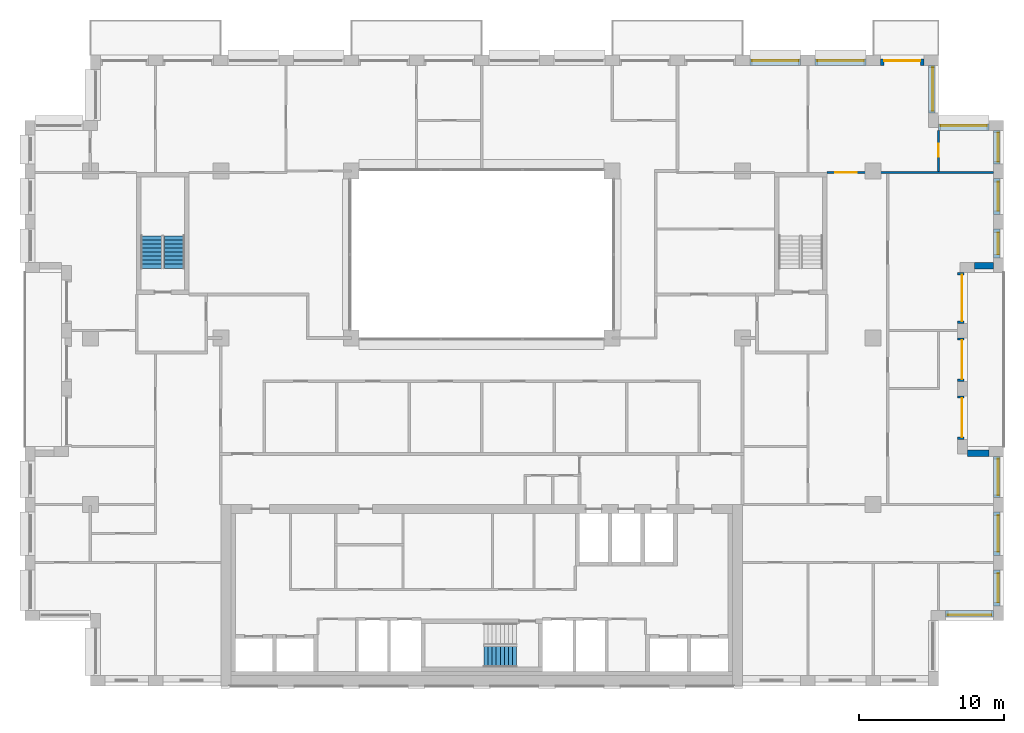
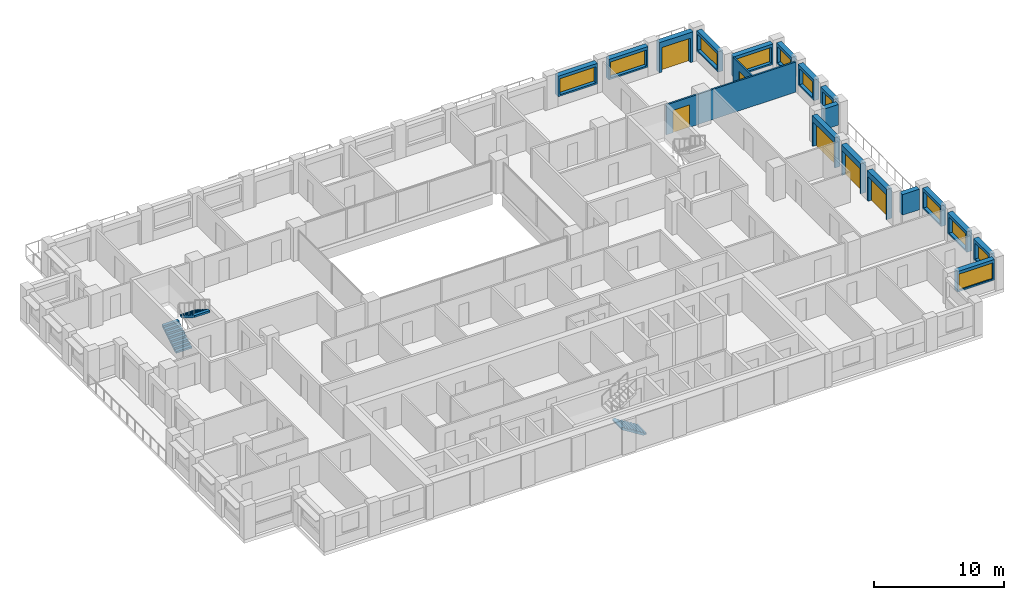
# One storey, part 14 of 16: 19 walls, 11 windows, 6 doors, 3 stair flights, 17 openings, 2 elements without a shape of their own.
"""IFC4 building model written with IfcOpenShell, lengths in metres."""

from ifc_helpers import new_model, si_unit, direction, frame, frame_2d, origin, place, context, subcontext, project, spatial, polyline, rectangle, outline, extrude, material, layer, layer_set, type_object, element, fill, aggregate, save


model = new_model("IFC4")

# Units and contexts
model_context = context("Model", 3, precision=1e-05, world=origin(), true_north=direction((0.0, 1.0)))
body_context = subcontext(model_context, "Body", "Model", "MODEL_VIEW")
ifc_project = project(units=[si_unit("LENGTHUNIT", "METRE"), si_unit("AREAUNIT", "SQUARE_METRE"), si_unit("VOLUMEUNIT", "CUBIC_METRE"), si_unit("PLANEANGLEUNIT", "RADIAN"), si_unit("MASSUNIT", "GRAM", prefix="KILO")], contexts=[model_context])

# Site, building, storey
site_placement = place(None, origin())
site = spatial("IfcSite", under=ifc_project, at=site_placement, CompositionType="ELEMENT")
building_placement = place(site_placement, origin())
building = spatial("IfcBuilding", under=site, at=building_placement, Name="Brigalow Station Residences", CompositionType="ELEMENT")
storey_placement = place(building_placement, frame((0.0, 0.0, 166.5)))
storey = spatial("IfcBuildingStorey", under=building, at=storey_placement, Name="L48", CompositionType="ELEMENT", Elevation=166.5)

# Wall, opening, window
ifc_material_1 = material(Name="Clay brick masonry", Category="masonry")
ifc_layer_1 = layer(ifc_material_1, 0.449951171875)
ifc_layer_set_1 = layer_set([ifc_layer_1], Name="BRICK INFILL WALL 450")
wall_type_1 = type_object("IfcWallType", Name="BRICK INFILL WALL 450", PredefinedType="SOLIDWALL", material=ifc_layer_set_1)
wall_1_placement = place(storey_placement, frame((68.0, 4.97509765625, 0.89990234375), z_axis=(0.0, 0.0, 1.0), x_axis=(1.0, 0.0, 0.0)))
wall_1 = element("IfcWall", 1, at=wall_1_placement, inside=storey, type_object=wall_type_1, Name="L48/ewall/W-L48-8", PredefinedType="SOLIDWALL", context=body_context, shape_type="SweptSolid", body=[
    extrude(rectangle(XDim=3.300048828125, YDim=0.449951171875, at=frame_2d((1.64990234375, 0.0))), origin(), (0.0, 0.0, 1.0), 1.93017578125),
])
opening_1_placement = place(wall_1_placement, frame((0.14990234375, 0.0, 0.14990234375)))
opening_1 = element("IfcOpeningElement", 2, at=opening_1_placement, cuts=wall_1, Name="Opening WT-2", PredefinedType="OPENING", context=body_context, shape_type="SweptSolid", body=[
    extrude(rectangle(XDim=3.0, YDim=1.5, at=frame_2d((1.5, 0.75))), frame((0.0, 0.23486328125, 0.0), z_axis=(0.0, -1.0, 0.0), x_axis=(1.0, 0.0, 0.0)), (0.0, 0.0, 1.0), 0.469970703125),
])
ifc_material_2 = material(Name="Anodised aluminium frame with double glazing", Category="aluminium")
window_type_1 = type_object("IfcWindowType", Name="WINDOW 3000x1500", PartitioningType="SINGLE_PANEL", PredefinedType="WINDOW", material=ifc_material_2)
window_1_placement = place(opening_1_placement, origin())
window_1 = element("IfcWindow", 3, at=window_1_placement, inside=storey, type_object=window_type_1, Name="L48/window/W-L48-8", OverallHeight=1.5, OverallWidth=3.0, PartitioningType="SINGLE_PANEL", PredefinedType="WINDOW", context=body_context, shape_type="SweptSolid", body=[
    extrude(rectangle(XDim=3.0, YDim=1.5, at=frame_2d((1.5, 0.75))), frame((0.0, -0.06494140625, 0.0), z_axis=(0.0, -1.0, 0.0), x_axis=(1.0, 0.0, 0.0)), (0.0, 0.0, 1.0), 0.06005859375),
])
fill(opening_1, window_1)

wall_2_placement = place(storey_placement, frame((71.52490234375, 5.5, 0.89990234375), z_axis=(0.0, 0.0, 1.0), x_axis=(0.0, 1.0, 0.0)))
wall_2 = element("IfcWall", 4, at=wall_2_placement, inside=storey, type_object=wall_type_1, Name="L48/ewall/W-L48-9", PredefinedType="SOLIDWALL", context=body_context, shape_type="SweptSolid", body=[
    extrude(rectangle(XDim=2.5, YDim=0.449951171875, at=frame_2d((1.25, 0.0))), origin(), (0.0, 0.0, 1.0), 1.93017578125),
])
opening_2_placement = place(wall_2_placement, frame((0.25, 0.0, 0.14990234375)))
opening_2 = element("IfcOpeningElement", 5, at=opening_2_placement, cuts=wall_2, Name="Opening WT-7", PredefinedType="OPENING", context=body_context, shape_type="SweptSolid", body=[
    extrude(rectangle(XDim=2.0, YDim=1.5, at=frame_2d((1.0, 0.75))), frame((0.0, 0.23486328125, 0.0), z_axis=(0.0, -1.0, 0.0), x_axis=(1.0, 0.0, 0.0)), (0.0, 0.0, 1.0), 0.469970703125),
])
ifc_material_3 = material(Name="Anodised aluminium frame with double glazing", Category="aluminium")
window_type_2 = type_object("IfcWindowType", Name="WINDOW 2000x1500", PartitioningType="SINGLE_PANEL", PredefinedType="WINDOW", material=ifc_material_3)
window_2_placement = place(opening_2_placement, origin())
window_2 = element("IfcWindow", 6, at=window_2_placement, inside=storey, type_object=window_type_2, Name="L48/window/W-L48-9", OverallHeight=1.5, OverallWidth=2.0, PartitioningType="SINGLE_PANEL", PredefinedType="WINDOW", context=body_context, shape_type="SweptSolid", body=[
    extrude(rectangle(XDim=2.0, YDim=1.5, at=frame_2d((1.0, 0.75))), frame((0.0, -0.06494140625, 0.0), z_axis=(0.0, -1.0, 0.0), x_axis=(1.0, 0.0, 0.0)), (0.0, 0.0, 1.0), 0.06005859375),
])
fill(opening_2, window_2)

wall_3_placement = place(storey_placement, frame((71.52490234375, 9.0, 0.89990234375), z_axis=(0.0, 0.0, 1.0), x_axis=(0.0, 1.0, 0.0)))
wall_3 = element("IfcWall", 7, at=wall_3_placement, inside=storey, type_object=wall_type_1, Name="L48/ewall/W-L48-10", PredefinedType="SOLIDWALL", context=body_context, shape_type="SweptSolid", body=[
    extrude(rectangle(XDim=3.0, YDim=0.449951171875, at=frame_2d((1.5, 0.0))), origin(), (0.0, 0.0, 1.0), 1.93017578125),
])
opening_3_placement = place(wall_3_placement, frame((0.25, 0.0, 0.14990234375)))
opening_3 = element("IfcOpeningElement", 8, at=opening_3_placement, cuts=wall_3, Name="Opening WT-5", PredefinedType="OPENING", context=body_context, shape_type="SweptSolid", body=[
    extrude(rectangle(XDim=2.5, YDim=1.5, at=frame_2d((1.25, 0.75))), frame((0.0, 0.23486328125, 0.0), z_axis=(0.0, -1.0, 0.0), x_axis=(1.0, 0.0, 0.0)), (0.0, 0.0, 1.0), 0.469970703125),
])
ifc_material_4 = material(Name="Anodised aluminium frame with double glazing", Category="aluminium")
window_type_3 = type_object("IfcWindowType", Name="WINDOW 2500x1500", PartitioningType="SINGLE_PANEL", PredefinedType="WINDOW", material=ifc_material_4)
window_3_placement = place(opening_3_placement, origin())
window_3 = element("IfcWindow", 9, at=window_3_placement, inside=storey, type_object=window_type_3, Name="L48/window/W-L48-10", OverallHeight=1.5, OverallWidth=2.5, PartitioningType="SINGLE_PANEL", PredefinedType="WINDOW", context=body_context, shape_type="SweptSolid", body=[
    extrude(rectangle(XDim=2.5, YDim=1.5, at=frame_2d((1.25, 0.75))), frame((0.0, -0.06494140625, 0.0), z_axis=(0.0, -1.0, 0.0), x_axis=(1.0, 0.0, 0.0)), (0.0, 0.0, 1.0), 0.06005859375),
])
fill(opening_3, window_3)

wall_4_placement = place(storey_placement, frame((71.52490234375, 13.0, 0.89990234375), z_axis=(0.0, 0.0, 1.0), x_axis=(0.0, 1.0, 0.0)))
wall_4 = element("IfcWall", 10, at=wall_4_placement, inside=storey, type_object=wall_type_1, Name="L48/ewall/W-L48-11", PredefinedType="SOLIDWALL", context=body_context, shape_type="SweptSolid", body=[
    extrude(rectangle(XDim=2.800048828125, YDim=0.449951171875, at=frame_2d((1.39990234375, 0.0))), origin(), (0.0, 0.0, 1.0), 1.93017578125),
])
opening_4_placement = place(wall_4_placement, frame((0.14990234375, 0.0, 0.14990234375)))
opening_4 = element("IfcOpeningElement", 11, at=opening_4_placement, cuts=wall_4, Name="Opening WT-5", PredefinedType="OPENING", context=body_context, shape_type="SweptSolid", body=[
    extrude(rectangle(XDim=2.5, YDim=1.5, at=frame_2d((1.25, 0.75))), frame((0.0, 0.23486328125, 0.0), z_axis=(0.0, -1.0, 0.0), x_axis=(1.0, 0.0, 0.0)), (0.0, 0.0, 1.0), 0.469970703125),
])
window_4_placement = place(opening_4_placement, origin())
window_4 = element("IfcWindow", 12, at=window_4_placement, inside=storey, type_object=window_type_3, Name="L48/window/W-L48-11", OverallHeight=1.5, OverallWidth=2.5, PartitioningType="SINGLE_PANEL", PredefinedType="WINDOW", context=body_context, shape_type="SweptSolid", body=[
    extrude(rectangle(XDim=2.5, YDim=1.5, at=frame_2d((1.25, 0.75))), frame((0.0, -0.06494140625, 0.0), z_axis=(0.0, -1.0, 0.0), x_axis=(1.0, 0.0, 0.0)), (0.0, 0.0, 1.0), 0.06005859375),
])
fill(opening_4, window_4)

# Wall
wall_5_placement = place(storey_placement, frame((71.0, 16.02490234375, 0.89990234375), z_axis=(0.0, 0.0, 1.0), x_axis=(-1.0, 0.0, 0.0)))
element("IfcWall", 13, at=wall_5_placement, inside=storey, type_object=wall_type_1, Name="L48/ewall/W-L48-12", PredefinedType="SOLIDWALL", context=body_context, shape_type="SweptSolid", body=[
    extrude(rectangle(XDim=1.5, YDim=0.449951171875, at=frame_2d((0.75, 0.0))), origin(), (0.0, 0.0, 1.0), 1.93017578125),
])

# Wall, opening, door
wall_6_placement = place(storey_placement, frame((69.02490234375, 17.0, 0.0), z_axis=(0.0, 0.0, 1.0), x_axis=(0.0, 1.0, 0.0)))
wall_6 = element("IfcWall", 14, at=wall_6_placement, inside=storey, type_object=wall_type_1, Name="L48/ewall/W-L48-13", PredefinedType="SOLIDWALL", context=body_context, shape_type="SweptSolid", body=[
    extrude(rectangle(XDim=3.0, YDim=0.449951171875, at=frame_2d((1.5, 0.0))), origin(), (0.0, 0.0, 1.0), 2.830078125),
])
opening_5_placement = place(wall_6_placement, frame((0.14990234375, 0.0, 0.0)))
opening_5 = element("IfcOpeningElement", 15, at=opening_5_placement, cuts=wall_6, Name="Opening D-B2700", PredefinedType="OPENING", context=body_context, shape_type="SweptSolid", body=[
    extrude(rectangle(XDim=2.699951171875, YDim=2.300048828125, at=frame_2d((1.35009765625, 1.14990234375))), frame((0.0, 0.23486328125, 0.0), z_axis=(0.0, -1.0, 0.0), x_axis=(1.0, 0.0, 0.0)), (0.0, 0.0, 1.0), 0.469970703125),
])
ifc_material_5 = material(Name="Anodised aluminium frame with double glazing", Category="aluminium")
door_type_1 = type_object("IfcDoorType", Name="BALCONY SLIDING DOOR 2700x2300", OperationType="SLIDING_TO_LEFT", PredefinedType="DOOR", material=ifc_material_5)
door_1_placement = place(opening_5_placement, origin())
door_1 = element("IfcDoor", 16, at=door_1_placement, inside=storey, type_object=door_type_1, Name="L48/balcony-door/W-L48-13", OperationType="SLIDING_TO_LEFT", OverallHeight=2.300048828125, OverallWidth=2.699951171875, PredefinedType="DOOR", context=body_context, shape_type="SweptSolid", body=[
    extrude(rectangle(XDim=2.699951171875, YDim=2.300048828125, at=frame_2d((1.35009765625, 1.14990234375))), frame((0.0, -0.06982421875, 0.0), z_axis=(0.0, -1.0, 0.0), x_axis=(1.0, 0.0, 0.0)), (0.0, 0.0, 1.0), 0.050048828125),
])
fill(opening_5, door_1)

wall_7_placement = place(storey_placement, frame((69.02490234375, 21.0, 0.0), z_axis=(0.0, 0.0, 1.0), x_axis=(0.0, 1.0, 0.0)))
wall_7 = element("IfcWall", 17, at=wall_7_placement, inside=storey, type_object=wall_type_1, Name="L48/ewall/W-L48-14", PredefinedType="SOLIDWALL", context=body_context, shape_type="SweptSolid", body=[
    extrude(rectangle(XDim=3.0, YDim=0.449951171875, at=frame_2d((1.5, 0.0))), origin(), (0.0, 0.0, 1.0), 2.830078125),
])
opening_6_placement = place(wall_7_placement, frame((0.14990234375, 0.0, 0.0)))
opening_6 = element("IfcOpeningElement", 18, at=opening_6_placement, cuts=wall_7, Name="Opening D-B2700", PredefinedType="OPENING", context=body_context, shape_type="SweptSolid", body=[
    extrude(rectangle(XDim=2.699951171875, YDim=2.300048828125, at=frame_2d((1.35009765625, 1.14990234375))), frame((0.0, 0.23486328125, 0.0), z_axis=(0.0, -1.0, 0.0), x_axis=(1.0, 0.0, 0.0)), (0.0, 0.0, 1.0), 0.469970703125),
])
door_2_placement = place(opening_6_placement, origin())
door_2 = element("IfcDoor", 19, at=door_2_placement, inside=storey, type_object=door_type_1, Name="L48/balcony-door/W-L48-14", OperationType="SLIDING_TO_LEFT", OverallHeight=2.300048828125, OverallWidth=2.699951171875, PredefinedType="DOOR", context=body_context, shape_type="SweptSolid", body=[
    extrude(rectangle(XDim=2.699951171875, YDim=2.300048828125, at=frame_2d((1.35009765625, 1.14990234375))), frame((0.0, -0.06982421875, 0.0), z_axis=(0.0, -1.0, 0.0), x_axis=(1.0, 0.0, 0.0)), (0.0, 0.0, 1.0), 0.050048828125),
])
fill(opening_6, door_2)

wall_8_placement = place(storey_placement, frame((69.02490234375, 25.0, 0.0), z_axis=(0.0, 0.0, 1.0), x_axis=(0.0, 1.0, 0.0)))
wall_8 = element("IfcWall", 20, at=wall_8_placement, inside=storey, type_object=wall_type_1, Name="L48/ewall/W-L48-15", PredefinedType="SOLIDWALL", context=body_context, shape_type="SweptSolid", body=[
    extrude(rectangle(XDim=3.5, YDim=0.449951171875, at=frame_2d((1.75, 0.0))), origin(), (0.0, 0.0, 1.0), 2.830078125),
])
opening_7_placement = place(wall_8_placement, frame((0.14990234375, 0.0, 0.0)))
opening_7 = element("IfcOpeningElement", 21, at=opening_7_placement, cuts=wall_8, Name="Opening D-B3200", PredefinedType="OPENING", context=body_context, shape_type="SweptSolid", body=[
    extrude(rectangle(XDim=3.199951171875, YDim=2.300048828125, at=frame_2d((1.60009765625, 1.14990234375))), frame((0.0, 0.23486328125, 0.0), z_axis=(0.0, -1.0, 0.0), x_axis=(1.0, 0.0, 0.0)), (0.0, 0.0, 1.0), 0.469970703125),
])
ifc_material_6 = material(Name="Anodised aluminium frame with double glazing", Category="aluminium")
door_type_2 = type_object("IfcDoorType", Name="BALCONY SLIDING DOOR 3200x2300", OperationType="SLIDING_TO_LEFT", PredefinedType="DOOR", material=ifc_material_6)
door_3_placement = place(opening_7_placement, origin())
door_3 = element("IfcDoor", 22, at=door_3_placement, inside=storey, type_object=door_type_2, Name="L48/balcony-door/W-L48-15", OperationType="SLIDING_TO_LEFT", OverallHeight=2.300048828125, OverallWidth=3.199951171875, PredefinedType="DOOR", context=body_context, shape_type="SweptSolid", body=[
    extrude(rectangle(XDim=3.199951171875, YDim=2.300048828125, at=frame_2d((1.60009765625, 1.14990234375))), frame((0.0, -0.06982421875, 0.0), z_axis=(0.0, -1.0, 0.0), x_axis=(1.0, 0.0, 0.0)), (0.0, 0.0, 1.0), 0.050048828125),
])
fill(opening_7, door_3)

# Wall
wall_9_placement = place(storey_placement, frame((70.0, 28.97509765625, 0.89990234375), z_axis=(0.0, 0.0, 1.0), x_axis=(1.0, 0.0, 0.0)))
element("IfcWall", 23, at=wall_9_placement, inside=storey, type_object=wall_type_1, Name="L48/ewall/W-L48-16", PredefinedType="SOLIDWALL", context=body_context, shape_type="SweptSolid", body=[
    extrude(rectangle(XDim=1.300048828125, YDim=0.449951171875, at=frame_2d((0.64990234375, 0.0))), origin(), (0.0, 0.0, 1.0), 1.93017578125),
])

# Wall, opening, window
wall_10_placement = place(storey_placement, frame((71.52490234375, 29.5, 0.89990234375), z_axis=(0.0, 0.0, 1.0), x_axis=(0.0, 1.0, 0.0)))
wall_10 = element("IfcWall", 24, at=wall_10_placement, inside=storey, type_object=wall_type_1, Name="L48/ewall/W-L48-17", PredefinedType="SOLIDWALL", context=body_context, shape_type="SweptSolid", body=[
    extrude(rectangle(XDim=2.0, YDim=0.449951171875, at=frame_2d((1.0, 0.0))), origin(), (0.0, 0.0, 1.0), 1.93017578125),
])
opening_8_placement = place(wall_10_placement, frame((0.25, 0.0, 0.14990234375)))
opening_8 = element("IfcOpeningElement", 25, at=opening_8_placement, cuts=wall_10, Name="Opening WT-1", PredefinedType="OPENING", context=body_context, shape_type="SweptSolid", body=[
    extrude(rectangle(XDim=1.5, YDim=1.5, at=frame_2d((0.75, 0.75))), frame((0.0, 0.23486328125, 0.0), z_axis=(0.0, -1.0, 0.0), x_axis=(1.0, 0.0, 0.0)), (0.0, 0.0, 1.0), 0.469970703125),
])
ifc_material_7 = material(Name="Anodised aluminium frame with double glazing", Category="aluminium")
window_type_4 = type_object("IfcWindowType", Name="WINDOW 1500x1500", PartitioningType="SINGLE_PANEL", PredefinedType="WINDOW", material=ifc_material_7)
window_5_placement = place(opening_8_placement, origin())
window_5 = element("IfcWindow", 26, at=window_5_placement, inside=storey, type_object=window_type_4, Name="L48/window/W-L48-17", OverallHeight=1.5, OverallWidth=1.5, PartitioningType="SINGLE_PANEL", PredefinedType="WINDOW", context=body_context, shape_type="SweptSolid", body=[
    extrude(rectangle(XDim=1.5, YDim=1.5, at=frame_2d((0.75, 0.75))), frame((0.0, -0.06494140625, 0.0), z_axis=(0.0, -1.0, 0.0), x_axis=(1.0, 0.0, 0.0)), (0.0, 0.0, 1.0), 0.06005859375),
])
fill(opening_8, window_5)

wall_11_placement = place(storey_placement, frame((71.52490234375, 32.5, 0.89990234375), z_axis=(0.0, 0.0, 1.0), x_axis=(0.0, 1.0, 0.0)))
wall_11 = element("IfcWall", 27, at=wall_11_placement, inside=storey, type_object=wall_type_1, Name="L48/ewall/W-L48-18", PredefinedType="SOLIDWALL", context=body_context, shape_type="SweptSolid", body=[
    extrude(rectangle(XDim=2.5, YDim=0.449951171875, at=frame_2d((1.25, 0.0))), origin(), (0.0, 0.0, 1.0), 1.93017578125),
])
opening_9_placement = place(wall_11_placement, frame((0.25, 0.0, 0.14990234375)))
opening_9 = element("IfcOpeningElement", 28, at=opening_9_placement, cuts=wall_11, Name="Opening WT-7", PredefinedType="OPENING", context=body_context, shape_type="SweptSolid", body=[
    extrude(rectangle(XDim=2.0, YDim=1.5, at=frame_2d((1.0, 0.75))), frame((0.0, 0.23486328125, 0.0), z_axis=(0.0, -1.0, 0.0), x_axis=(1.0, 0.0, 0.0)), (0.0, 0.0, 1.0), 0.469970703125),
])
window_6_placement = place(opening_9_placement, origin())
window_6 = element("IfcWindow", 29, at=window_6_placement, inside=storey, type_object=window_type_2, Name="L48/window/W-L48-18", OverallHeight=1.5, OverallWidth=2.0, PartitioningType="SINGLE_PANEL", PredefinedType="WINDOW", context=body_context, shape_type="SweptSolid", body=[
    extrude(rectangle(XDim=2.0, YDim=1.5, at=frame_2d((1.0, 0.75))), frame((0.0, -0.06494140625, 0.0), z_axis=(0.0, -1.0, 0.0), x_axis=(1.0, 0.0, 0.0)), (0.0, 0.0, 1.0), 0.06005859375),
])
fill(opening_9, window_6)

wall_12_placement = place(storey_placement, frame((71.52490234375, 36.0, 0.89990234375), z_axis=(0.0, 0.0, 1.0), x_axis=(0.0, 1.0, 0.0)))
wall_12 = element("IfcWall", 30, at=wall_12_placement, inside=storey, type_object=wall_type_1, Name="L48/ewall/W-L48-19", PredefinedType="SOLIDWALL", context=body_context, shape_type="SweptSolid", body=[
    extrude(rectangle(XDim=2.300048828125, YDim=0.449951171875, at=frame_2d((1.14990234375, 0.0))), origin(), (0.0, 0.0, 1.0), 1.93017578125),
])
opening_10_placement = place(wall_12_placement, frame((0.14990234375, 0.0, 0.14990234375)))
opening_10 = element("IfcOpeningElement", 31, at=opening_10_placement, cuts=wall_12, Name="Opening WT-7", PredefinedType="OPENING", context=body_context, shape_type="SweptSolid", body=[
    extrude(rectangle(XDim=2.0, YDim=1.5, at=frame_2d((1.0, 0.75))), frame((0.0, 0.23486328125, 0.0), z_axis=(0.0, -1.0, 0.0), x_axis=(1.0, 0.0, 0.0)), (0.0, 0.0, 1.0), 0.469970703125),
])
window_7_placement = place(opening_10_placement, origin())
window_7 = element("IfcWindow", 32, at=window_7_placement, inside=storey, type_object=window_type_2, Name="L48/window/W-L48-19", OverallHeight=1.5, OverallWidth=2.0, PartitioningType="SINGLE_PANEL", PredefinedType="WINDOW", context=body_context, shape_type="SweptSolid", body=[
    extrude(rectangle(XDim=2.0, YDim=1.5, at=frame_2d((1.0, 0.75))), frame((0.0, -0.06494140625, 0.0), z_axis=(0.0, -1.0, 0.0), x_axis=(1.0, 0.0, 0.0)), (0.0, 0.0, 1.0), 0.06005859375),
])
fill(opening_10, window_7)

wall_13_placement = place(storey_placement, frame((71.0, 38.52490234375, 0.89990234375), z_axis=(0.0, 0.0, 1.0), x_axis=(-1.0, 0.0, 0.0)))
wall_13 = element("IfcWall", 33, at=wall_13_placement, inside=storey, type_object=wall_type_1, Name="L48/ewall/W-L48-20", PredefinedType="SOLIDWALL", context=body_context, shape_type="SweptSolid", body=[
    extrude(rectangle(XDim=3.5, YDim=0.449951171875, at=frame_2d((1.75, 0.0))), origin(), (0.0, 0.0, 1.0), 1.93017578125),
])
opening_11_placement = place(wall_13_placement, frame((0.14990234375, 0.0, 0.14990234375)))
opening_11 = element("IfcOpeningElement", 34, at=opening_11_placement, cuts=wall_13, Name="Opening WT-9", PredefinedType="OPENING", context=body_context, shape_type="SweptSolid", body=[
    extrude(rectangle(XDim=3.199951171875, YDim=1.5, at=frame_2d((1.60009765625, 0.75))), frame((0.0, 0.23486328125, 0.0), z_axis=(0.0, -1.0, 0.0), x_axis=(1.0, 0.0, 0.0)), (0.0, 0.0, 1.0), 0.469970703125),
])
ifc_material_8 = material(Name="Anodised aluminium frame with double glazing", Category="aluminium")
window_type_5 = type_object("IfcWindowType", Name="WINDOW 3200x1500", PartitioningType="SINGLE_PANEL", PredefinedType="WINDOW", material=ifc_material_8)
window_8_placement = place(opening_11_placement, origin())
window_8 = element("IfcWindow", 35, at=window_8_placement, inside=storey, type_object=window_type_5, Name="L48/window/W-L48-20", OverallHeight=1.5, OverallWidth=3.199951171875, PartitioningType="SINGLE_PANEL", PredefinedType="WINDOW", context=body_context, shape_type="SweptSolid", body=[
    extrude(rectangle(XDim=3.199951171875, YDim=1.5, at=frame_2d((1.60009765625, 0.75))), frame((0.0, -0.06494140625, 0.0), z_axis=(0.0, -1.0, 0.0), x_axis=(1.0, 0.0, 0.0)), (0.0, 0.0, 1.0), 0.06005859375),
])
fill(opening_11, window_8)

wall_14_placement = place(storey_placement, frame((67.02490234375, 39.5, 0.89990234375), z_axis=(0.0, 0.0, 1.0), x_axis=(0.0, 1.0, 0.0)))
wall_14 = element("IfcWall", 36, at=wall_14_placement, inside=storey, type_object=wall_type_1, Name="L48/ewall/W-L48-21", PredefinedType="SOLIDWALL", context=body_context, shape_type="SweptSolid", body=[
    extrude(rectangle(XDim=3.300048828125, YDim=0.449951171875, at=frame_2d((1.64990234375, 0.0))), origin(), (0.0, 0.0, 1.0), 1.93017578125),
])
opening_12_placement = place(wall_14_placement, frame((0.14990234375, 0.0, 0.14990234375)))
opening_12 = element("IfcOpeningElement", 37, at=opening_12_placement, cuts=wall_14, Name="Opening WT-2", PredefinedType="OPENING", context=body_context, shape_type="SweptSolid", body=[
    extrude(rectangle(XDim=3.0, YDim=1.5, at=frame_2d((1.5, 0.75))), frame((0.0, 0.23486328125, 0.0), z_axis=(0.0, -1.0, 0.0), x_axis=(1.0, 0.0, 0.0)), (0.0, 0.0, 1.0), 0.469970703125),
])
window_9_placement = place(opening_12_placement, origin())
window_9 = element("IfcWindow", 38, at=window_9_placement, inside=storey, type_object=window_type_1, Name="L48/window/W-L48-21", OverallHeight=1.5, OverallWidth=3.0, PartitioningType="SINGLE_PANEL", PredefinedType="WINDOW", context=body_context, shape_type="SweptSolid", body=[
    extrude(rectangle(XDim=3.0, YDim=1.5, at=frame_2d((1.5, 0.75))), frame((0.0, -0.06494140625, 0.0), z_axis=(0.0, -1.0, 0.0), x_axis=(1.0, 0.0, 0.0)), (0.0, 0.0, 1.0), 0.06005859375),
])
fill(opening_12, window_9)

# Wall, opening, door
wall_15_placement = place(storey_placement, frame((66.5, 43.02490234375, 0.0), z_axis=(0.0, 0.0, 1.0), x_axis=(-1.0, 0.0, 0.0)))
wall_15 = element("IfcWall", 39, at=wall_15_placement, inside=storey, type_object=wall_type_1, Name="L48/ewall/W-L48-22", PredefinedType="SOLIDWALL", context=body_context, shape_type="SweptSolid", body=[
    extrude(rectangle(XDim=3.0, YDim=0.449951171875, at=frame_2d((1.5, 0.0))), origin(), (0.0, 0.0, 1.0), 2.830078125),
])
opening_13_placement = place(wall_15_placement, frame((0.25, 0.0, 0.0)))
opening_13 = element("IfcOpeningElement", 40, at=opening_13_placement, cuts=wall_15, Name="Opening D-B2500", PredefinedType="OPENING", context=body_context, shape_type="SweptSolid", body=[
    extrude(rectangle(XDim=2.5, YDim=2.300048828125, at=frame_2d((1.25, 1.14990234375))), frame((0.0, 0.23486328125, 0.0), z_axis=(0.0, -1.0, 0.0), x_axis=(1.0, 0.0, 0.0)), (0.0, 0.0, 1.0), 0.469970703125),
])
ifc_material_9 = material(Name="Anodised aluminium frame with double glazing", Category="aluminium")
door_type_3 = type_object("IfcDoorType", Name="BALCONY SLIDING DOOR 2500x2300", OperationType="SLIDING_TO_LEFT", PredefinedType="DOOR", material=ifc_material_9)
door_4_placement = place(opening_13_placement, origin())
door_4 = element("IfcDoor", 41, at=door_4_placement, inside=storey, type_object=door_type_3, Name="L48/balcony-door/W-L48-22", OperationType="SLIDING_TO_LEFT", OverallHeight=2.300048828125, OverallWidth=2.5, PredefinedType="DOOR", context=body_context, shape_type="SweptSolid", body=[
    extrude(rectangle(XDim=2.5, YDim=2.300048828125, at=frame_2d((1.25, 1.14990234375))), frame((0.0, -0.06982421875, 0.0), z_axis=(0.0, -1.0, 0.0), x_axis=(1.0, 0.0, 0.0)), (0.0, 0.0, 1.0), 0.050048828125),
])
fill(opening_13, door_4)

# Wall, opening, window
wall_16_placement = place(storey_placement, frame((62.5, 43.02490234375, 0.89990234375), z_axis=(0.0, 0.0, 1.0), x_axis=(-1.0, 0.0, 0.0)))
wall_16 = element("IfcWall", 42, at=wall_16_placement, inside=storey, type_object=wall_type_1, Name="L48/ewall/W-L48-23", PredefinedType="SOLIDWALL", context=body_context, shape_type="SweptSolid", body=[
    extrude(rectangle(XDim=3.5, YDim=0.449951171875, at=frame_2d((1.75, 0.0))), origin(), (0.0, 0.0, 1.0), 1.93017578125),
])
opening_14_placement = place(wall_16_placement, frame((0.14990234375, 0.0, 0.14990234375)))
opening_14 = element("IfcOpeningElement", 43, at=opening_14_placement, cuts=wall_16, Name="Opening WT-9", PredefinedType="OPENING", context=body_context, shape_type="SweptSolid", body=[
    extrude(rectangle(XDim=3.199951171875, YDim=1.5, at=frame_2d((1.60009765625, 0.75))), frame((0.0, 0.23486328125, 0.0), z_axis=(0.0, -1.0, 0.0), x_axis=(1.0, 0.0, 0.0)), (0.0, 0.0, 1.0), 0.469970703125),
])
window_10_placement = place(opening_14_placement, origin())
window_10 = element("IfcWindow", 44, at=window_10_placement, inside=storey, type_object=window_type_5, Name="L48/window/W-L48-23", OverallHeight=1.5, OverallWidth=3.199951171875, PartitioningType="SINGLE_PANEL", PredefinedType="WINDOW", context=body_context, shape_type="SweptSolid", body=[
    extrude(rectangle(XDim=3.199951171875, YDim=1.5, at=frame_2d((1.60009765625, 0.75))), frame((0.0, -0.06494140625, 0.0), z_axis=(0.0, -1.0, 0.0), x_axis=(1.0, 0.0, 0.0)), (0.0, 0.0, 1.0), 0.06005859375),
])
fill(opening_14, window_10)

wall_17_placement = place(storey_placement, frame((58.0, 43.02490234375, 0.89990234375), z_axis=(0.0, 0.0, 1.0), x_axis=(-1.0, 0.0, 0.0)))
wall_17 = element("IfcWall", 45, at=wall_17_placement, inside=storey, type_object=wall_type_1, Name="L48/ewall/W-L48-24", PredefinedType="SOLIDWALL", context=body_context, shape_type="SweptSolid", body=[
    extrude(rectangle(XDim=3.5, YDim=0.449951171875, at=frame_2d((1.75, 0.0))), origin(), (0.0, 0.0, 1.0), 1.93017578125),
])
opening_15_placement = place(wall_17_placement, frame((0.14990234375, 0.0, 0.14990234375)))
opening_15 = element("IfcOpeningElement", 46, at=opening_15_placement, cuts=wall_17, Name="Opening WT-9", PredefinedType="OPENING", context=body_context, shape_type="SweptSolid", body=[
    extrude(rectangle(XDim=3.199951171875, YDim=1.5, at=frame_2d((1.60009765625, 0.75))), frame((0.0, 0.23486328125, 0.0), z_axis=(0.0, -1.0, 0.0), x_axis=(1.0, 0.0, 0.0)), (0.0, 0.0, 1.0), 0.469970703125),
])
window_11_placement = place(opening_15_placement, origin())
window_11 = element("IfcWindow", 47, at=window_11_placement, inside=storey, type_object=window_type_5, Name="L48/window/W-L48-24", OverallHeight=1.5, OverallWidth=3.199951171875, PartitioningType="SINGLE_PANEL", PredefinedType="WINDOW", context=body_context, shape_type="SweptSolid", body=[
    extrude(rectangle(XDim=3.199951171875, YDim=1.5, at=frame_2d((1.60009765625, 0.75))), frame((0.0, -0.06494140625, 0.0), z_axis=(0.0, -1.0, 0.0), x_axis=(1.0, 0.0, 0.0)), (0.0, 0.0, 1.0), 0.06005859375),
])
fill(opening_15, window_11)

# Wall, opening, door
ifc_material_10 = material(Name="Plasterboard on steel stud partition", Category="steel")
ifc_layer_2 = layer(ifc_material_10, 0.14990234375)
ifc_layer_set_2 = layer_set([ifc_layer_2], Name="FLAT PARTITION 150")
wall_type_2 = type_object("IfcWallType", Name="FLAT PARTITION 150", PredefinedType="PARTITIONING", material=ifc_layer_set_2)
wall_18_placement = place(storey_placement, frame((59.800048828125, 35.39990234375, 0.0), z_axis=(0.0, 0.0, 1.0), x_axis=(1.0, 0.0, 0.0)))
wall_18 = element("IfcWall", 48, at=wall_18_placement, inside=storey, type_object=wall_type_2, Name="PW-3D20", PredefinedType="PARTITIONING", context=body_context, shape_type="SweptSolid", body=[
    extrude(rectangle(XDim=11.5, YDim=0.14990234375, at=frame_2d((5.75, 0.0))), origin(), (0.0, 0.0, 1.0), 2.830078125),
])
opening_16_placement = place(wall_18_placement, frame((0.574951171875, 0.0, 0.0)))
opening_16 = element("IfcOpeningElement", 49, at=opening_16_placement, cuts=wall_18, Name="Opening D-3D23", PredefinedType="OPENING", context=body_context, shape_type="SweptSolid", body=[
    extrude(rectangle(XDim=1.5, YDim=2.10009765625, at=frame_2d((0.75, 1.050048828125))), frame((0.0, 0.0849609375, 0.0), z_axis=(0.0, -1.0, 0.0), x_axis=(1.0, 0.0, 0.0)), (0.0, 0.0, 1.0), 0.169921875),
])
ifc_material_11 = material(Name="Solid-core timber door leaf", Category="wood")
door_type_4 = type_object("IfcDoorType", Name="INTERNAL DOUBLE DOOR 1500 x 2100", OperationType="DOUBLE_DOOR_SINGLE_SWING", PredefinedType="DOOR", material=ifc_material_11)
door_5_placement = place(opening_16_placement, origin())
door_5 = element("IfcDoor", 50, at=door_5_placement, inside=storey, type_object=door_type_4, Name="D-3D23", OperationType="DOUBLE_DOOR_SINGLE_SWING", OverallHeight=2.10009765625, OverallWidth=1.5, PredefinedType="DOOR", context=body_context, shape_type="SweptSolid", body=[
    extrude(rectangle(XDim=1.5, YDim=2.10009765625, at=frame_2d((0.75, 1.050048828125))), frame((0.0, 0.02490234375, 0.0), z_axis=(0.0, -1.0, 0.0), x_axis=(1.0, 0.0, 0.0)), (0.0, 0.0, 1.0), 0.050048828125),
])
fill(opening_16, door_5)

wall_19_placement = place(storey_placement, frame((67.5, 35.47509765625, 0.0), z_axis=(0.0, 0.0, 1.0), x_axis=(0.0, 1.0, 0.0)))
wall_19 = element("IfcWall", 51, at=wall_19_placement, inside=storey, type_object=wall_type_2, Name="PW-3D51", PredefinedType="PARTITIONING", context=body_context, shape_type="SweptSolid", body=[
    extrude(rectangle(XDim=2.824951171875, YDim=0.14990234375, at=frame_2d((1.41259765625, 0.0))), origin(), (0.0, 0.0, 1.0), 2.830078125),
])
opening_17_placement = place(wall_19_placement, frame((1.0, 0.0, 0.0)))
opening_17 = element("IfcOpeningElement", 52, at=opening_17_placement, cuts=wall_19, Name="Opening D-3D24", PredefinedType="OPENING", context=body_context, shape_type="SweptSolid", body=[
    extrude(rectangle(XDim=0.89990234375, YDim=2.10009765625, at=frame_2d((0.449951171875, 1.050048828125))), frame((0.0, 0.0849609375, 0.0), z_axis=(0.0, -1.0, 0.0), x_axis=(1.0, 0.0, 0.0)), (0.0, 0.0, 1.0), 0.169921875),
])
ifc_material_12 = material(Name="Solid-core timber door leaf", Category="wood")
door_type_5 = type_object("IfcDoorType", Name="INTERNAL DOOR 900 x 2100", OperationType="SINGLE_SWING_LEFT", PredefinedType="DOOR", material=ifc_material_12)
door_6_placement = place(opening_17_placement, frame((0.89990234375, 0.0, 0.0), z_axis=(0.0, 0.0, 1.0), x_axis=(-1.0, 0.0, 0.0)))
door_6 = element("IfcDoor", 53, at=door_6_placement, inside=storey, type_object=door_type_5, Name="D-3D24", OperationType="SINGLE_SWING_LEFT", OverallHeight=2.10009765625, OverallWidth=0.89990234375, PredefinedType="DOOR", context=body_context, shape_type="SweptSolid", body=[
    extrude(rectangle(XDim=0.89990234375, YDim=2.10009765625, at=frame_2d((0.449951171875, 1.050048828125))), frame((0.0, 0.02490234375, 0.0), z_axis=(0.0, -1.0, 0.0), x_axis=(1.0, 0.0, 0.0)), (0.0, 0.0, 1.0), 0.050048828125),
])
fill(opening_17, door_6)

# Stair, stair flight
ifc_material_13 = material(Name="Concrete C50", Category="concrete")
stair_type = type_object("IfcStairType", Name="EXIT STAIR 1400 2 FLIGHT", PredefinedType="HALF_TURN_STAIR", material=ifc_material_13)
stair_1_placement = place(storey_placement, origin())
stair_1 = element("IfcStair", 54, at=stair_1_placement, inside=storey, type_object=stair_type, Name="EXIT STAIR S2 L48", PredefinedType="HALF_TURN_STAIR")
ifc_material_14 = material(Name="Concrete C50", Category="concrete")
stair_flight_type = type_object("IfcStairFlightType", Name="STAIR FLIGHT 1400", PredefinedType="STRAIGHT", material=ifc_material_14)
stair_flight_1_placement = place(storey_placement, frame((38.39990234375, 2.0, 0.0), z_axis=(0.0, 0.0, 1.0), x_axis=(-1.0, 0.0, 0.0)))
stair_flight_1 = element("IfcStairFlight", 55, at=stair_flight_1_placement, type_object=stair_flight_type, Name="ST-2 flight 1", NumberOfRisers=9, NumberOfTreads=8, PredefinedType="STRAIGHT", RiserHeight=0.175, TreadLength=0.28, context=body_context, shape_type="SweptSolid", body=[
    extrude(outline(polyline([(0.0, 0.0), (0.0, 0.175048828125), (0.280029296875, 0.175048828125), (0.280029296875, 0.35009765625), (0.56005859375, 0.35009765625), (0.56005859375, 0.52490234375), (0.840087890625, 0.52490234375), (0.840087890625, 0.699951171875), (1.1201171875, 0.699951171875), (1.1201171875, 0.875), (1.39990234375, 0.875), (1.39990234375, 1.050048828125), (1.679931640625, 1.050048828125), (1.679931640625, 1.22509765625), (1.9599609375, 1.22509765625), (1.9599609375, 1.39990234375), (2.239990234375, 1.39990234375), (2.239990234375, 1.574951171875), (2.239990234375, 1.22314453125), (0.28271484375, 0.0), (0.0, 0.0)])), frame((0.0, 0.699951171875, 0.0), z_axis=(0.0, -1.0, 0.0), x_axis=(1.0, 0.0, 0.0)), (0.0, 0.0, 1.0), 1.39990234375),
])
aggregate(stair_1, [stair_flight_1])

# Stair, stair flights
stair_2_placement = place(storey_placement, origin())
stair_2 = element("IfcStair", 56, at=stair_2_placement, inside=storey, type_object=stair_type, Name="EXIT STAIR S1 L48", PredefinedType="HALF_TURN_STAIR")
stair_flight_2_placement = place(storey_placement, frame((13.199951171875, 28.800048828125, 0.0), z_axis=(0.0, 0.0, 1.0), x_axis=(0.0, 1.0, 0.0)))
stair_flight_2 = element("IfcStairFlight", 57, at=stair_flight_2_placement, type_object=stair_flight_type, Name="ST-1 flight 1", NumberOfRisers=9, NumberOfTreads=8, PredefinedType="STRAIGHT", RiserHeight=0.175, TreadLength=0.28, context=body_context, shape_type="SweptSolid", body=[
    extrude(outline(polyline([(0.0, 0.0), (0.0, 0.175048828125), (0.280029296875, 0.175048828125), (0.280029296875, 0.35009765625), (0.56005859375, 0.35009765625), (0.56005859375, 0.52490234375), (0.840087890625, 0.52490234375), (0.840087890625, 0.699951171875), (1.1201171875, 0.699951171875), (1.1201171875, 0.875), (1.39990234375, 0.875), (1.39990234375, 1.050048828125), (1.679931640625, 1.050048828125), (1.679931640625, 1.22509765625), (1.9599609375, 1.22509765625), (1.9599609375, 1.39990234375), (2.239990234375, 1.39990234375), (2.239990234375, 1.574951171875), (2.239990234375, 1.22314453125), (0.28271484375, 0.0), (0.0, 0.0)])), frame((0.0, 0.699951171875, 0.0), z_axis=(0.0, -1.0, 0.0), x_axis=(1.0, 0.0, 0.0)), (0.0, 0.0, 1.0), 1.39990234375),
])
stair_flight_3_placement = place(storey_placement, frame((14.800048828125, 31.0400390625, 1.574951171875), z_axis=(0.0, 0.0, 1.0), x_axis=(0.0, -1.0, 0.0)))
stair_flight_3 = element("IfcStairFlight", 58, at=stair_flight_3_placement, type_object=stair_flight_type, Name="ST-1 flight 2", NumberOfRisers=9, NumberOfTreads=8, PredefinedType="STRAIGHT", RiserHeight=0.175, TreadLength=0.28, context=body_context, shape_type="SweptSolid", body=[
    extrude(outline(polyline([(0.0, 0.0), (0.0, 0.175048828125), (0.280029296875, 0.175048828125), (0.280029296875, 0.35009765625), (0.56005859375, 0.35009765625), (0.56005859375, 0.52490234375), (0.840087890625, 0.52490234375), (0.840087890625, 0.699951171875), (1.1201171875, 0.699951171875), (1.1201171875, 0.875), (1.39990234375, 0.875), (1.39990234375, 1.050048828125), (1.679931640625, 1.050048828125), (1.679931640625, 1.22509765625), (1.9599609375, 1.22509765625), (1.9599609375, 1.39990234375), (2.239990234375, 1.39990234375), (2.239990234375, 1.574951171875), (2.239990234375, 1.22314453125), (0.28271484375, 0.0), (0.0, 0.0)])), frame((0.0, 0.699951171875, 0.0), z_axis=(0.0, -1.0, 0.0), x_axis=(1.0, 0.0, 0.0)), (0.0, 0.0, 1.0), 1.39990234375),
])
aggregate(stair_2, [stair_flight_2, stair_flight_3])

save(model, "model.ifc")
